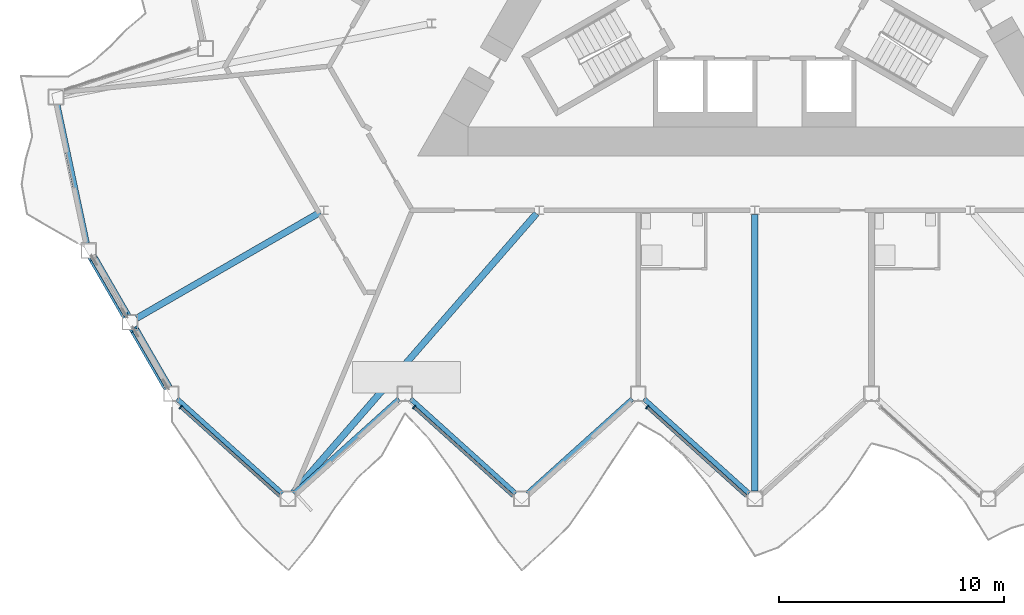
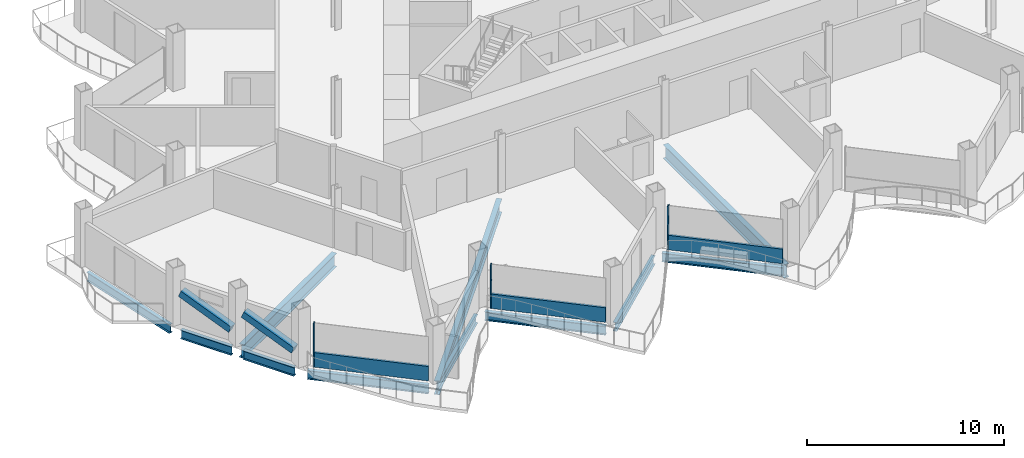
# One storey, part 4 of 23: 11 beams, 8 members, 3 elements without a shape of their own.
"""IFC4 building model written with IfcOpenShell, lengths in metres."""

from ifc_helpers import new_model, si_unit, direction, frame, origin, origin_2d, place, context, subcontext, project, spatial, rectangle, hollow_rectangle, i_section, extrude, material, layer, layer_set, material_profile, profile_set, type_object, element, aggregate, save


model = new_model("IFC4")

# Units and contexts
model_context = context("Model", 3, precision=1e-05, world=origin(), true_north=direction((0.0, 1.0)))
body_context = subcontext(model_context, "Body", "Model", "MODEL_VIEW")
ifc_project = project(units=[si_unit("LENGTHUNIT", "METRE"), si_unit("AREAUNIT", "SQUARE_METRE"), si_unit("VOLUMEUNIT", "CUBIC_METRE"), si_unit("PLANEANGLEUNIT", "RADIAN"), si_unit("MASSUNIT", "GRAM", prefix="KILO")], contexts=[model_context])

# Site, building, storey
site_placement = place(None, origin())
site = spatial("IfcSite", under=ifc_project, at=site_placement, CompositionType="ELEMENT")
building_placement = place(site_placement, origin())
building = spatial("IfcBuilding", under=site, at=building_placement, Name="Cormorant Prow Tower", CompositionType="ELEMENT")
storey_placement = place(building_placement, frame((0.0, 0.0, 263.39990234375)))
storey = spatial("IfcBuildingStorey", under=building, at=storey_placement, Name="L59", CompositionType="ELEMENT", Elevation=263.39990234375)

# Members
ifc_material_1 = material(Name="Structural steel ASTM A500 Gr C", Category="steel")
ifc_material_profile_1 = material_profile(ifc_material_1, hollow_rectangle(XDim=0.406494140625, YDim=0.406494140625, WallThickness=0.01171875, at=origin_2d()), Name="HSS16x16x1/2")
ifc_profile_set_1 = profile_set([ifc_material_profile_1], Name="Structural steel ASTM A500 Gr C")
member_type_1 = type_object("IfcMemberType", Name="Chamfer brace HSS16x16x1/2", PredefinedType="BRACE", material=ifc_profile_set_1)
for number, where, z_axis, x_axis, name in (
    (1, (-27.959228515625, -15.719970703125, 0.74951171875), (-0.462773096913, 0.801606962687, 0.378506721399), (-0.866041729639, -0.499971721724, 0.0), "Chamfer brace BR2 at WSW00 L59"),
    (2, (-26.1240234375, -18.898681640625, 0.74951171875), (-0.462773096913, 0.801606962687, 0.378506721399), (-0.866041729639, -0.499971721724, 0.0), "Chamfer brace BR2 at WSW01 L59"),
):
    element("IfcMember", number, at=place(storey_placement, frame(where, z_axis=z_axis, x_axis=x_axis)), inside=storey, type_object=member_type_1, Name=name, PredefinedType="BRACE", context=body_context, shape_type="SweptSolid", body=[
        extrude(hollow_rectangle(XDim=0.406494140625, YDim=0.406494140625, WallThickness=0.01171875, at=origin_2d()), origin(), (0.0, 0.0, 1.0), 3.17529296875),
    ])

# Curtain wall, member
ifc_material_2 = material(Name="Aluminium 6063-T6", Category="aluminium")
ifc_layer = layer(ifc_material_2, 0.179931640625)
ifc_layer_set = layer_set([ifc_layer], Name="Aluminium 6063-T6")
curtain_wall_type = type_object("IfcCurtainWallType", Name="Hotel unitised curtain wall 180", PredefinedType="NOTDEFINED", material=ifc_layer_set)
curtain_wall_1_placement = place(storey_placement, origin())
curtain_wall_1 = element("IfcCurtainWall", 3, at=curtain_wall_1_placement, inside=storey, type_object=curtain_wall_type, Name="Hotel curtain wall S00", PredefinedType="NOTDEFINED")
ifc_material_3 = material(Name="Aluminium 6063-T6", Category="aluminium")
ifc_material_profile_2 = material_profile(ifc_material_3, rectangle(XDim=0.179931640625, YDim=0.06005859375, at=origin_2d()), Name="Hotel mullion 60x180")
ifc_profile_set_2 = profile_set([ifc_material_profile_2], Name="Aluminium 6063-T6")
member_type_2 = type_object("IfcMemberType", Name="Hotel mullion 60x180", PredefinedType="MULLION", material=ifc_profile_set_2)
member_1_placement = place(storey_placement, frame((-25.518798828125, -19.8115234375, 0.0), z_axis=(0.0, 0.0, 1.0), x_axis=(0.669130572247, 0.743144856192, 0.0)))
member_1 = element("IfcMember", 4, at=member_1_placement, type_object=member_type_2, Name="Hotel mullion S00", PredefinedType="MULLION", context=body_context, shape_type="SweptSolid", body=[
    extrude(rectangle(XDim=0.179931640625, YDim=0.06005859375, at=origin_2d()), origin(), (0.0, 0.0, 1.0), 2.700927734375),
])

curtain_wall_2_placement = place(storey_placement, origin())
curtain_wall_2 = element("IfcCurtainWall", 5, at=curtain_wall_2_placement, inside=storey, type_object=curtain_wall_type, Name="Hotel curtain wall S02", PredefinedType="NOTDEFINED")
member_2_placement = place(storey_placement, frame((-15.1533203125, -19.8115234375, 0.0), z_axis=(0.0, 0.0, 1.0), x_axis=(0.669130500949, 0.743144920389, 0.0)))
member_2 = element("IfcMember", 6, at=member_2_placement, type_object=member_type_2, Name="Hotel mullion S02", PredefinedType="MULLION", context=body_context, shape_type="SweptSolid", body=[
    extrude(rectangle(XDim=0.179931640625, YDim=0.06005859375, at=origin_2d()), origin(), (0.0, 0.0, 1.0), 2.700927734375),
])

curtain_wall_3_placement = place(storey_placement, origin())
curtain_wall_3 = element("IfcCurtainWall", 7, at=curtain_wall_3_placement, inside=storey, type_object=curtain_wall_type, Name="Hotel curtain wall S04", PredefinedType="NOTDEFINED")
member_3_placement = place(storey_placement, frame((-4.7880859375, -19.8115234375, 0.0), z_axis=(0.0, 0.0, 1.0), x_axis=(0.669130572247, 0.743144856192, 0.0)))
member_3 = element("IfcMember", 8, at=member_3_placement, type_object=member_type_2, Name="Hotel mullion S04", PredefinedType="MULLION", context=body_context, shape_type="SweptSolid", body=[
    extrude(rectangle(XDim=0.179931640625, YDim=0.06005859375, at=origin_2d()), origin(), (0.0, 0.0, 1.0), 2.700927734375),
])

# Member
ifc_material_4 = material(Name="Terracotta", Category="masonry")
ifc_material_profile_3 = material_profile(ifc_material_4, rectangle(XDim=0.139892578125, YDim=0.89990234375, at=origin_2d()), Name="Hotel terracotta spandrel rail 140x900")
ifc_profile_set_3 = profile_set([ifc_material_profile_3], Name="Terracotta")
member_type_3 = type_object("IfcMemberType", Name="Hotel terracotta spandrel rail 140x900", PredefinedType="USERDEFINED", material=ifc_profile_set_3)
member_4_placement = place(storey_placement, frame((-25.49658203125, -19.831787109375, 0.4501953125), z_axis=(0.743158607872, -0.669115299142, 0.0), x_axis=(0.669115299142, 0.743158607872, 0.0)))
member_4 = element("IfcMember", 9, at=member_4_placement, type_object=member_type_3, Name="Hotel spandrel rail S00", ObjectType="TRANSOM", PredefinedType="USERDEFINED", context=body_context, shape_type="SweptSolid", body=[
    extrude(rectangle(XDim=0.139892578125, YDim=0.89990234375, at=origin_2d()), origin(), (0.0, 0.0, 1.0), 5.912109375),
])

aggregate(curtain_wall_1, [member_1, member_4])

member_5_placement = place(storey_placement, frame((-15.131103515625, -19.831787109375, 0.4501953125), z_axis=(0.743158607872, -0.669115299142, 0.0), x_axis=(0.669115299142, 0.743158607872, 0.0)))
member_5 = element("IfcMember", 10, at=member_5_placement, type_object=member_type_3, Name="Hotel spandrel rail S02", ObjectType="TRANSOM", PredefinedType="USERDEFINED", context=body_context, shape_type="SweptSolid", body=[
    extrude(rectangle(XDim=0.139892578125, YDim=0.89990234375, at=origin_2d()), origin(), (0.0, 0.0, 1.0), 5.912109375),
])

aggregate(curtain_wall_2, [member_2, member_5])

member_6_placement = place(storey_placement, frame((-4.765869140625, -19.831787109375, 0.4501953125), z_axis=(0.743158607872, -0.669115299142, 0.0), x_axis=(0.669115299142, 0.743158607872, 0.0)))
member_6 = element("IfcMember", 11, at=member_6_placement, type_object=member_type_3, Name="Hotel spandrel rail S04", ObjectType="TRANSOM", PredefinedType="USERDEFINED", context=body_context, shape_type="SweptSolid", body=[
    extrude(rectangle(XDim=0.139892578125, YDim=0.89990234375, at=origin_2d()), origin(), (0.0, 0.0, 1.0), 5.912109375),
])

aggregate(curtain_wall_3, [member_3, member_6])

# Beams
ifc_material_5 = material(Name="Structural steel ASTM A992 Gr 50", Category="steel")
ifc_material_profile_4 = material_profile(ifc_material_5, i_section(OverallWidth=0.29296875, OverallDepth=0.845703125, WebThickness=0.015380859375, FlangeThickness=0.0244140625, at=origin_2d()), Name="W33x141")
ifc_profile_set_4 = profile_set([ifc_material_profile_4], Name="Structural steel ASTM A992 Gr 50")
beam_type_1 = type_object("IfcBeamType", Name="Radial floor beam W33x141", PredefinedType="BEAM", material=ifc_profile_set_4)
beam_1_placement = place(storey_placement, frame((-19.32958984375, -11.159912109375, -0.772705078125), z_axis=(-0.866021726843, -0.500006368596, 0.0), x_axis=(0.500006368596, -0.866021726843, 0.0)))
element("IfcBeam", 12, at=beam_1_placement, inside=storey, type_object=beam_type_1, Name="Radial floor beam FB2 5 L59", PredefinedType="BEAM", context=body_context, shape_type="SweptSolid", body=[
    extrude(i_section(OverallWidth=0.29296875, OverallDepth=0.845703125, WebThickness=0.015380859375, FlangeThickness=0.0244140625, at=origin_2d()), origin(), (0.0, 0.0, 1.0), 9.40380859375),
])
beam_2_placement = place(storey_placement, frame((-9.70947265625, -11.210693359375, -0.772705078125), z_axis=(-0.656874593387, -0.753999846527, 0.0), x_axis=(0.753999846527, -0.656874593387, 0.0)))
element("IfcBeam", 13, at=beam_2_placement, inside=storey, type_object=beam_type_1, Name="Radial floor beam FB2 6 L59", PredefinedType="BEAM", context=body_context, shape_type="SweptSolid", body=[
    extrude(i_section(OverallWidth=0.29296875, OverallDepth=0.845703125, WebThickness=0.015380859375, FlangeThickness=0.0244140625, at=origin_2d()), origin(), (0.0, 0.0, 1.0), 16.4619140625),
])
beam_3_placement = place(storey_placement, frame((0.0, -11.259765625, -0.772705078125), z_axis=(0.0, -1.0, 0.0), x_axis=(1.0, 0.0, 0.0)))
element("IfcBeam", 14, at=beam_3_placement, inside=storey, type_object=beam_type_1, Name="Radial floor beam FB2 7 L59", PredefinedType="BEAM", context=body_context, shape_type="SweptSolid", body=[
    extrude(i_section(OverallWidth=0.29296875, OverallDepth=0.845703125, WebThickness=0.015380859375, FlangeThickness=0.0244140625, at=origin_2d()), origin(), (0.0, 0.0, 1.0), 12.277099609375),
])
ifc_material_6 = material(Name="Structural steel ASTM A992 Gr 50", Category="steel")
ifc_material_profile_5 = material_profile(ifc_material_6, i_section(OverallWidth=0.2138671875, OverallDepth=0.549072265625, WebThickness=0.0146484375, FlangeThickness=0.023681640625, at=origin_2d()), Name="W21x93")
ifc_profile_set_5 = profile_set([ifc_material_profile_5], Name="Structural steel ASTM A992 Gr 50")
beam_type_2 = type_object("IfcBeamType", Name="Spandrel beam W21x93", PredefinedType="SPANDREL", material=ifc_profile_set_5)
for number, where, z_axis, x_axis, name in (
    (15, (-25.68115234375, -19.44970703125, -0.62451171875), (0.743156918576, -0.669117175368, 0.0), (0.669117175368, 0.743156918576, 0.0), "Spandrel beam SB2 S00-S01 L59"),
    (16, (-20.492919921875, -23.65283203125, -0.62451171875), (0.743156918576, 0.669117175368, 0.0), (-0.669117175368, 0.743156918576, 0.0), "Spandrel beam SB2 S01-S02 L59"),
    (17, (-15.3046875, -19.44970703125, -0.62451171875), (0.743156918576, -0.669117175368, 0.0), (0.669117175368, 0.743156918576, 0.0), "Spandrel beam SB2 S02-S03 L59"),
    (18, (-10.116455078125, -23.65283203125, -0.62451171875), (0.743156918576, 0.669117175368, 0.0), (-0.669117175368, 0.743156918576, 0.0), "Spandrel beam SB2 S03-S04 L59"),
    (19, (-4.92822265625, -19.44970703125, -0.62451171875), (0.743156918576, -0.669117175368, 0.0), (0.669117175368, 0.743156918576, 0.0), "Spandrel beam SB2 S04-S05 L59"),
):
    element("IfcBeam", number, at=place(storey_placement, frame(where, z_axis=z_axis, x_axis=x_axis)), inside=storey, type_object=beam_type_2, Name=name, PredefinedType="SPANDREL", context=body_context, shape_type="SweptSolid", body=[
        extrude(i_section(OverallWidth=0.2138671875, OverallDepth=0.549072265625, WebThickness=0.0146484375, FlangeThickness=0.023681640625, at=origin_2d()), origin(), (0.0, 0.0, 1.0), 6.281494140625),
    ])
beam_4_placement = place(storey_placement, frame((-30.990478515625, -6.37158203125, -0.62451171875), z_axis=(0.207941499013, -0.978141264331, 0.0), x_axis=(0.978141264331, 0.207941499013, 0.0)))
element("IfcBeam", 20, at=beam_4_placement, inside=storey, type_object=beam_type_2, Name="Spandrel beam SB2 WNW09-WSW00 L59", PredefinedType="SPANDREL", context=body_context, shape_type="SweptSolid", body=[
    extrude(i_section(OverallWidth=0.2138671875, OverallDepth=0.549072265625, WebThickness=0.0146484375, FlangeThickness=0.023681640625, at=origin_2d()), origin(), (0.0, 0.0, 1.0), 6.28125),
])
for number, where, z_axis, x_axis, name in (
    (21, (-29.4365234375, -13.1611328125, -0.62451171875), (0.499966725515, -0.866044613965, 0.0), (0.866044613965, 0.499966725515, 0.0), "Spandrel beam SB2 WSW00-WSW01 L59"),
    (22, (-27.601318359375, -16.33984375, -0.62451171875), (0.499966725515, -0.866044613965, 0.0), (0.866044613965, 0.499966725515, 0.0), "Spandrel beam SB2 WSW01-S00 L59"),
):
    element("IfcBeam", number, at=place(storey_placement, frame(where, z_axis=z_axis, x_axis=x_axis)), inside=storey, type_object=beam_type_2, Name=name, PredefinedType="SPANDREL", context=body_context, shape_type="SweptSolid", body=[
        extrude(i_section(OverallWidth=0.2138671875, OverallDepth=0.549072265625, WebThickness=0.0146484375, FlangeThickness=0.023681640625, at=origin_2d()), origin(), (0.0, 0.0, 1.0), 2.970458984375),
    ])

save(model, "model.ifc")
